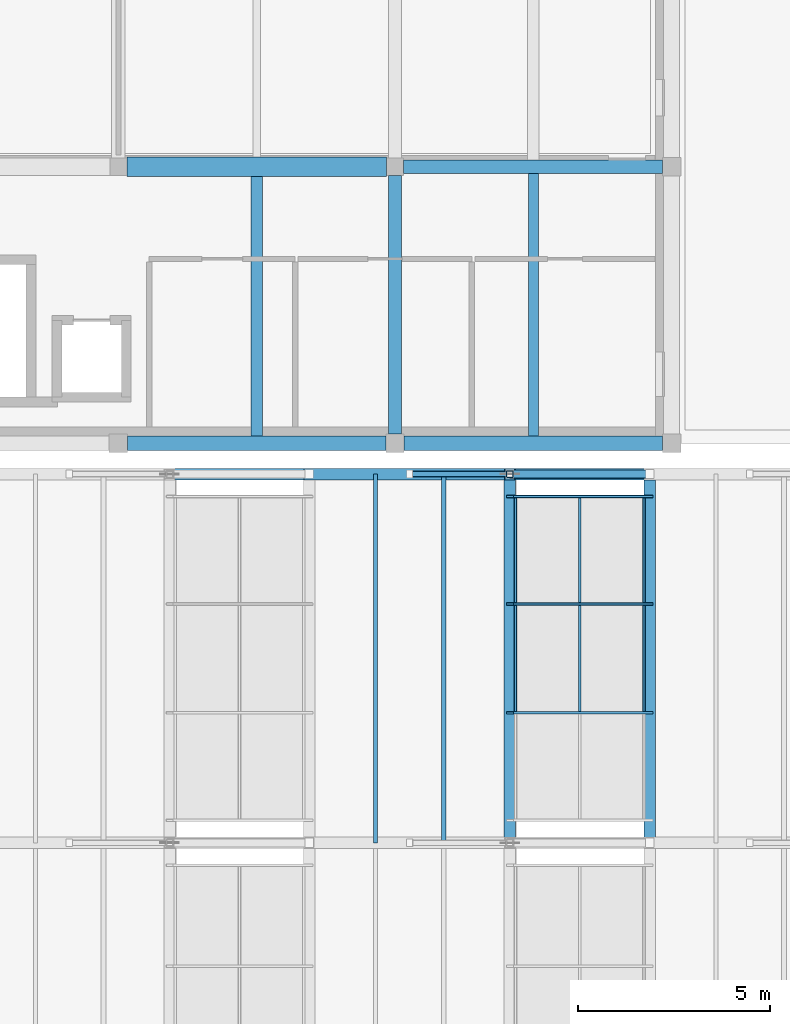
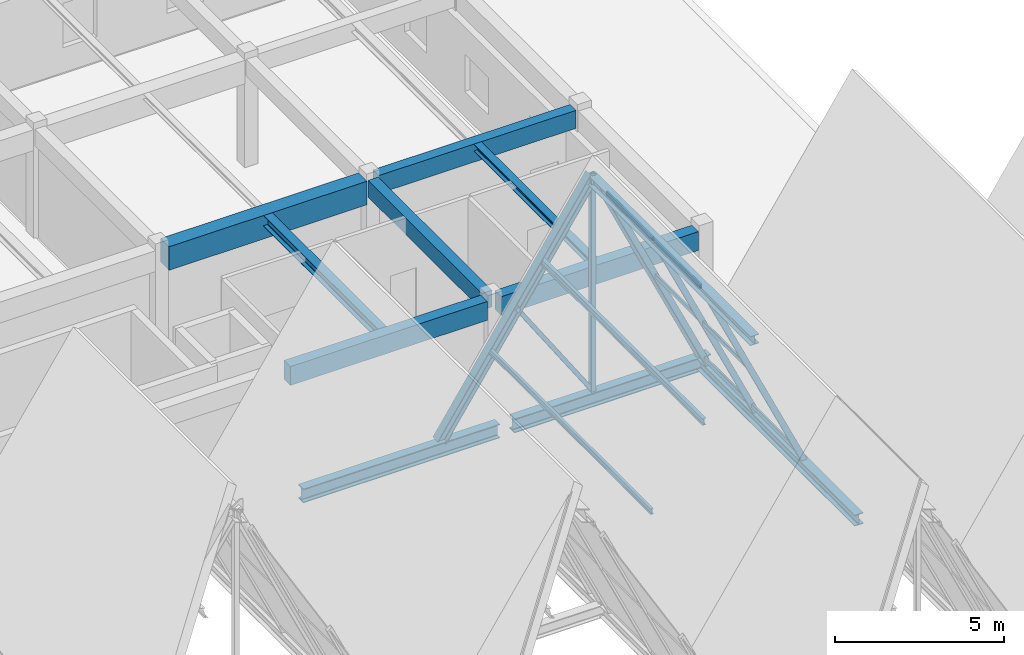
# One storey, part 59 of 99: 15 members, 11 beams, 1 element without a shape of its own.
"""IFC4 building model written with IfcOpenShell, lengths in metres."""

from ifc_helpers import new_model, si_unit, direction, frame, origin, origin_2d, place, context, subcontext, project, spatial, rectangle, hollow_rectangle, hollow_circle, i_section, extrude, material, material_profile, profile_set, type_object, element, aggregate, save


model = new_model("IFC4")

# Units and contexts
model_context = context("Model", 3, precision=1e-05, world=origin(), true_north=direction((0.0, 1.0)))
body_context = subcontext(model_context, "Body", "Model", "MODEL_VIEW")
ifc_project = project(units=[si_unit("LENGTHUNIT", "METRE"), si_unit("AREAUNIT", "SQUARE_METRE"), si_unit("VOLUMEUNIT", "CUBIC_METRE"), si_unit("PLANEANGLEUNIT", "RADIAN"), si_unit("MASSUNIT", "GRAM", prefix="KILO")], contexts=[model_context])

# Site, building, storey
site_placement = place(None, origin())
site = spatial("IfcSite", under=ifc_project, at=site_placement, CompositionType="ELEMENT")
building_placement = place(site_placement, origin())
building = spatial("IfcBuilding", under=site, at=building_placement, Name="Bramveld Media Centre", CompositionType="ELEMENT")
storey_placement = place(building_placement, frame((0.0, 0.0, 13.800048828125)))
storey = spatial("IfcBuildingStorey", under=building, at=storey_placement, Name="L03", CompositionType="ELEMENT", Elevation=13.800048828125)

# Beams
ifc_material_1 = material(Name="Concrete C40/50", Category="concrete")
ifc_material_profile_1 = material_profile(ifc_material_1, rectangle(XDim=0.35009765625, YDim=0.60009765625, at=origin_2d()), Name="RC 350x600")
ifc_profile_set_1 = profile_set([ifc_material_profile_1], Name="Concrete C40/50")
beam_type_1 = type_object("IfcBeamType", Name="BM-INT-RC-350x600", PredefinedType="BEAM", material=ifc_profile_set_1)
beam_1_placement = place(storey_placement, frame((152.800048828125, 39.43994140625, 3.659912109375), z_axis=(0.0, 1.0, 0.0), x_axis=(-1.0, 0.0, 0.0)))
element("IfcBeam", 1, at=beam_1_placement, inside=storey, type_object=beam_type_1, Name="V4 L03 girder Y-638", PredefinedType="BEAM", context=body_context, shape_type="SweptSolid", body=[
    extrude(rectangle(XDim=0.35009765625, YDim=0.60009765625, at=origin_2d()), origin(), (0.0, 0.0, 1.0), 6.735107421875),
])
ifc_material_2 = material(Name="Concrete C40/50", Category="concrete")
ifc_material_profile_2 = material_profile(ifc_material_2, rectangle(XDim=0.35009765625, YDim=0.64990234375, at=origin_2d()), Name="RC 350x650")
ifc_profile_set_2 = profile_set([ifc_material_profile_2], Name="Concrete C40/50")
beam_type_2 = type_object("IfcBeamType", Name="BM-INT-RC-350x650", PredefinedType="BEAM", material=ifc_profile_set_2)
beam_2_placement = place(storey_placement, frame((153.02490234375, 46.39990234375, 3.635009765625), z_axis=(1.0, 0.0, 0.0), x_axis=(0.0, 1.0, 0.0)))
element("IfcBeam", 2, at=beam_2_placement, inside=storey, type_object=beam_type_2, Name="V4 L03 girder X-622", PredefinedType="BEAM", context=body_context, shape_type="SweptSolid", body=[
    extrude(rectangle(XDim=0.35009765625, YDim=0.64990234375, at=origin_2d()), origin(), (0.0, 0.0, 1.0), 6.735107421875),
])
ifc_material_3 = material(Name="Concrete C40/50", Category="concrete")
ifc_material_profile_3 = material_profile(ifc_material_3, rectangle(XDim=0.5, YDim=0.85009765625, at=origin_2d()), Name="RC 500x850")
ifc_profile_set_3 = profile_set([ifc_material_profile_3], Name="Concrete C40/50")
beam_type_3 = type_object("IfcBeamType", Name="BM-INT-RC-500x850", PredefinedType="BEAM", material=ifc_profile_set_3)
beam_3_placement = place(storey_placement, frame((145.824951171875, 46.39990234375, 3.534912109375), z_axis=(1.0, 0.0, 0.0), x_axis=(0.0, 1.0, 0.0)))
element("IfcBeam", 3, at=beam_3_placement, inside=storey, type_object=beam_type_3, Name="V4 L03 girder X-621", PredefinedType="BEAM", context=body_context, shape_type="SweptSolid", body=[
    extrude(rectangle(XDim=0.5, YDim=0.85009765625, at=origin_2d()), origin(), (0.0, 0.0, 1.0), 6.75),
])

# Curtain wall, members
ifc_material_4 = material(Name="Thermally broken anodized bronze aluminium unitized curtain wall with solar-control triple glazing", Category="aluminium")
curtain_wall_type = type_object("IfcCurtainWallType", Name="CW-SAW-8500x8606", PredefinedType="NOTDEFINED", material=ifc_material_4)
curtain_wall_placement = place(storey_placement, origin())
curtain_wall = element("IfcCurtainWall", 4, at=curtain_wall_placement, inside=storey, type_object=curtain_wall_type, Name="V1 sawtooth north-light clerestory B4-S3", PredefinedType="NOTDEFINED")
ifc_material_5 = material(Name="Thermally broken anodized bronze aluminium EN AW-6063 T6 curtain-wall framing", Category="aluminium")
ifc_material_profile_4 = material_profile(ifc_material_5, hollow_rectangle(XDim=0.070068359375, YDim=0.199951171875, WallThickness=0.00439453125, InnerFilletRadius=0.00439453125, OuterFilletRadius=0.009033203125, at=origin_2d()), Name="AL-MULL 70x200")
ifc_profile_set_4 = profile_set([ifc_material_profile_4], Name="Thermally broken anodized bronze aluminium EN AW-6063 T6 curtain-wall framing")
member_type_1 = type_object("IfcMemberType", Name="CW-MULL-SLP", PredefinedType="MULLION", material=ifc_profile_set_4)
member_1_placement = place(storey_placement, frame((159.4287109375, 32.183349609375, -0.02001953125), z_axis=(-0.423980334249, 0.0, 0.905671395248), x_axis=(0.0, -1.0, 0.0)))
member_1 = element("IfcMember", 5, at=member_1_placement, type_object=member_type_1, Name="CW-SA-8586 sloped mullion 2", PredefinedType="MULLION", context=body_context, shape_type="SweptSolid", body=[
    extrude(hollow_rectangle(XDim=0.070068359375, YDim=0.199951171875, WallThickness=0.00439453125, InnerFilletRadius=0.00439453125, OuterFilletRadius=0.009033203125, at=origin_2d()), origin(), (0.0, 0.0, 1.0), 8.579345703125),
])
member_2_placement = place(storey_placement, frame((159.4287109375, 35.0166015625, -0.02001953125), z_axis=(-0.423980334249, 0.0, 0.905671395248), x_axis=(0.0, -1.0, 0.0)))
member_2 = element("IfcMember", 6, at=member_2_placement, type_object=member_type_1, Name="CW-SA-8586 sloped mullion 3", PredefinedType="MULLION", context=body_context, shape_type="SweptSolid", body=[
    extrude(hollow_rectangle(XDim=0.070068359375, YDim=0.199951171875, WallThickness=0.00439453125, InnerFilletRadius=0.00439453125, OuterFilletRadius=0.009033203125, at=origin_2d()), origin(), (0.0, 0.0, 1.0), 8.579345703125),
])
member_3_placement = place(storey_placement, frame((159.4287109375, 37.81494140625, -0.02001953125), z_axis=(-0.423980334249, 0.0, 0.905671395248), x_axis=(0.0, -1.0, 0.0)))
member_3 = element("IfcMember", 7, at=member_3_placement, type_object=member_type_1, Name="CW-SA-8586 sloped mullion 4", PredefinedType="MULLION", context=body_context, shape_type="SweptSolid", body=[
    extrude(hollow_rectangle(XDim=0.070068359375, YDim=0.199951171875, WallThickness=0.00439453125, InnerFilletRadius=0.00439453125, OuterFilletRadius=0.009033203125, at=origin_2d()), origin(), (0.0, 0.0, 1.0), 8.579345703125),
])
ifc_material_6 = material(Name="Thermally broken anodized bronze aluminium EN AW-6063 T6 curtain-wall framing", Category="aluminium")
ifc_material_profile_5 = material_profile(ifc_material_6, hollow_rectangle(XDim=0.070068359375, YDim=0.14990234375, WallThickness=0.00390625, InnerFilletRadius=0.00390625, OuterFilletRadius=0.008056640625, at=origin_2d()), Name="AL-TRAN 70x150")
ifc_profile_set_5 = profile_set([ifc_material_profile_5], Name="Thermally broken anodized bronze aluminium EN AW-6063 T6 curtain-wall framing")
member_type_2 = type_object("IfcMemberType", Name="CW-TRAN-SLP", PredefinedType="USERDEFINED", material=ifc_profile_set_5)
member_4_placement = place(storey_placement, frame((159.283203125, 32.21826171875, 0.290771484375), z_axis=(0.0, 1.0, 0.0), x_axis=(-1.0, 0.0, 0.0)))
member_4 = element("IfcMember", 8, at=member_4_placement, type_object=member_type_2, Name="CW-SA-8586 transom 2.1", ObjectType="TRANSOM", PredefinedType="USERDEFINED", context=body_context, shape_type="SweptSolid", body=[
    extrude(hollow_rectangle(XDim=0.070068359375, YDim=0.14990234375, WallThickness=0.00390625, InnerFilletRadius=0.00390625, OuterFilletRadius=0.008056640625, at=origin_2d()), origin(), (0.0, 0.0, 1.0), 2.763427734375),
])
member_5_placement = place(storey_placement, frame((157.60986328125, 32.21826171875, 3.864990234375), z_axis=(0.0, 1.0, 0.0), x_axis=(-1.0, 0.0, 0.0)))
member_5 = element("IfcMember", 9, at=member_5_placement, type_object=member_type_2, Name="CW-SA-8586 transom 2.2", ObjectType="TRANSOM", PredefinedType="USERDEFINED", context=body_context, shape_type="SweptSolid", body=[
    extrude(hollow_rectangle(XDim=0.070068359375, YDim=0.14990234375, WallThickness=0.00390625, InnerFilletRadius=0.00390625, OuterFilletRadius=0.008056640625, at=origin_2d()), origin(), (0.0, 0.0, 1.0), 2.763427734375),
])
member_6_placement = place(storey_placement, frame((155.936767578125, 32.21826171875, 7.439208984375), z_axis=(0.0, 1.0, 0.0), x_axis=(-1.0, 0.0, 0.0)))
member_6 = element("IfcMember", 10, at=member_6_placement, type_object=member_type_2, Name="CW-SA-8586 transom 2.3", ObjectType="TRANSOM", PredefinedType="USERDEFINED", context=body_context, shape_type="SweptSolid", body=[
    extrude(hollow_rectangle(XDim=0.070068359375, YDim=0.14990234375, WallThickness=0.00390625, InnerFilletRadius=0.00390625, OuterFilletRadius=0.008056640625, at=origin_2d()), origin(), (0.0, 0.0, 1.0), 2.763427734375),
])
member_7_placement = place(storey_placement, frame((159.283203125, 35.0517578125, 0.290771484375), z_axis=(0.0, 1.0, 0.0), x_axis=(-1.0, 0.0, 0.0)))
member_7 = element("IfcMember", 11, at=member_7_placement, type_object=member_type_2, Name="CW-SA-8586 transom 3.1", ObjectType="TRANSOM", PredefinedType="USERDEFINED", context=body_context, shape_type="SweptSolid", body=[
    extrude(hollow_rectangle(XDim=0.070068359375, YDim=0.14990234375, WallThickness=0.00390625, InnerFilletRadius=0.00390625, OuterFilletRadius=0.008056640625, at=origin_2d()), origin(), (0.0, 0.0, 1.0), 2.728271484375),
])
member_8_placement = place(storey_placement, frame((157.60986328125, 35.0517578125, 3.864990234375), z_axis=(0.0, 1.0, 0.0), x_axis=(-1.0, 0.0, 0.0)))
member_8 = element("IfcMember", 12, at=member_8_placement, type_object=member_type_2, Name="CW-SA-8586 transom 3.2", ObjectType="TRANSOM", PredefinedType="USERDEFINED", context=body_context, shape_type="SweptSolid", body=[
    extrude(hollow_rectangle(XDim=0.070068359375, YDim=0.14990234375, WallThickness=0.00390625, InnerFilletRadius=0.00390625, OuterFilletRadius=0.008056640625, at=origin_2d()), origin(), (0.0, 0.0, 1.0), 2.728271484375),
])
member_9_placement = place(storey_placement, frame((155.936767578125, 35.0517578125, 7.439208984375), z_axis=(0.0, 1.0, 0.0), x_axis=(-1.0, 0.0, 0.0)))
member_9 = element("IfcMember", 13, at=member_9_placement, type_object=member_type_2, Name="CW-SA-8586 transom 3.3", ObjectType="TRANSOM", PredefinedType="USERDEFINED", context=body_context, shape_type="SweptSolid", body=[
    extrude(hollow_rectangle(XDim=0.070068359375, YDim=0.14990234375, WallThickness=0.00390625, InnerFilletRadius=0.00390625, OuterFilletRadius=0.008056640625, at=origin_2d()), origin(), (0.0, 0.0, 1.0), 2.728271484375),
])
aggregate(curtain_wall, [member_1, member_2, member_3, member_4, member_5, member_6, member_7, member_8, member_9])

# Members
ifc_material_7 = material(Name="Steel S355J2H", Category="steel")
ifc_material_profile_6 = material_profile(ifc_material_7, hollow_circle(Radius=0.109619140625, WallThickness=0.012451171875, at=origin_2d()), Name="CHS 219.1x12.5")
ifc_profile_set_6 = profile_set([ifc_material_profile_6], Name="Steel S355J2H")
member_type_3 = type_object("IfcMemberType", Name="MEM-BRACE-CHS219", PredefinedType="BRACE", material=ifc_profile_set_6)
member_10_placement = place(storey_placement, frame((159.4287109375, 38.39990234375, 0.0), z_axis=(-0.422640085544, 0.0, 0.90629761011), x_axis=(0.0, -1.0, 0.0)))
element("IfcMember", 14, at=member_10_placement, inside=storey, type_object=member_type_3, Name="TRUSS-V1-B04-F5 north-light strut", PredefinedType="BRACE", context=body_context, shape_type="SweptSolid", body=[
    extrude(hollow_circle(Radius=0.109619140625, WallThickness=0.012451171875, at=origin_2d()), origin(), (0.0, 0.0, 1.0), 8.6064453125),
])
ifc_material_8 = material(Name="Steel S355J2H", Category="steel")
ifc_material_profile_7 = material_profile(ifc_material_8, hollow_rectangle(XDim=0.14990234375, YDim=0.14990234375, WallThickness=0.010009765625, InnerFilletRadius=0.010009765625, OuterFilletRadius=0.02001953125, at=origin_2d()), Name="SHS 150x150x10")
ifc_profile_set_7 = profile_set([ifc_material_profile_7], Name="Steel S355J2H")
member_type_4 = type_object("IfcMemberType", Name="MEM-BRACE-SHS150", PredefinedType="BRACE", material=ifc_profile_set_7)
member_11_placement = place(storey_placement, frame((155.791259765625, 38.39990234375, 0.0), z_axis=(-0.55616408489, 0.0, 0.83107250627), x_axis=(0.0, -1.0, 0.0)))
element("IfcMember", 15, at=member_11_placement, inside=storey, type_object=member_type_4, Name="TRUSS-V1-B04-F5 web diagonal", PredefinedType="BRACE", context=body_context, shape_type="SweptSolid", body=[
    extrude(hollow_rectangle(XDim=0.14990234375, YDim=0.14990234375, WallThickness=0.010009765625, InnerFilletRadius=0.010009765625, OuterFilletRadius=0.02001953125, at=origin_2d()), origin(), (0.0, 0.0, 1.0), 4.692626953125),
])
ifc_material_9 = material(Name="Steel S355J2", Category="steel")
ifc_material_profile_8 = material_profile(ifc_material_9, i_section(OverallWidth=0.300048828125, OverallDepth=0.340087890625, WebThickness=0.011962890625, FlangeThickness=0.021484375, FilletRadius=0.027099609375, at=origin_2d()), Name="HEB 340")
ifc_profile_set_8 = profile_set([ifc_material_profile_8], Name="Steel S355J2")
member_type_5 = type_object("IfcMemberType", Name="MEM-CHORD-HEB340", PredefinedType="CHORD", material=ifc_profile_set_8)
member_12_placement = place(storey_placement, frame((150.5712890625, 38.39990234375, 0.0), z_axis=(0.556170027887, 0.0, 0.831068529112), x_axis=(0.0, 1.0, 0.0)))
element("IfcMember", 16, at=member_12_placement, inside=storey, type_object=member_type_5, Name="TRUSS-V1-B04-F5 top rafter chord", PredefinedType="CHORD", context=body_context, shape_type="SweptSolid", body=[
    extrude(i_section(OverallWidth=0.300048828125, OverallDepth=0.340087890625, WebThickness=0.011962890625, FlangeThickness=0.021484375, FilletRadius=0.027099609375, at=origin_2d()), origin(), (0.0, 0.0, 1.0), 9.385498046875),
])
ifc_material_10 = material(Name="Steel S355J2H", Category="steel")
ifc_material_profile_9 = material_profile(ifc_material_10, hollow_rectangle(XDim=0.179931640625, YDim=0.179931640625, WallThickness=0.010009765625, InnerFilletRadius=0.010009765625, OuterFilletRadius=0.02001953125, at=origin_2d()), Name="SHS 180x180x10")
ifc_profile_set_9 = profile_set([ifc_material_profile_9], Name="Steel S355J2H")
member_type_6 = type_object("IfcMemberType", Name="MEM-POST-SHS180", PredefinedType="POST", material=ifc_profile_set_9)
member_13_placement = place(storey_placement, frame((155.791259765625, 38.39990234375, 0.0), z_axis=(0.0, 0.0, 1.0), x_axis=(1.0, 0.0, 0.0)))
element("IfcMember", 17, at=member_13_placement, inside=storey, type_object=member_type_6, Name="TRUSS-V1-B04-F5 kingpost", PredefinedType="POST", context=body_context, shape_type="SweptSolid", body=[
    extrude(hollow_rectangle(XDim=0.179931640625, YDim=0.179931640625, WallThickness=0.010009765625, InnerFilletRadius=0.010009765625, OuterFilletRadius=0.02001953125, at=origin_2d()), origin(), (0.0, 0.0, 1.0), 7.800048828125),
])
ifc_material_11 = material(Name="Steel S355J2", Category="steel")
ifc_material_profile_10 = material_profile(ifc_material_11, i_section(OverallWidth=0.10009765625, OverallDepth=0.199951171875, WebThickness=0.005615234375, FlangeThickness=0.008544921875, FilletRadius=0.011962890625, at=origin_2d()), Name="IPE 200")
ifc_profile_set_10 = profile_set([ifc_material_profile_10], Name="Steel S355J2")
member_type_7 = type_object("IfcMemberType", Name="MEM-PURLIN-IPE200", PredefinedType="PURLIN", material=ifc_profile_set_10)
member_14_placement = place(storey_placement, frame((152.2939453125, 28.800048828125, 2.666259765625), z_axis=(0.0, 1.0, 0.0), x_axis=(-1.0, 0.0, 0.0)))
element("IfcMember", 18, at=member_14_placement, inside=storey, type_object=member_type_7, Name="V1 roof purlin", PredefinedType="PURLIN", context=body_context, shape_type="SweptSolid", body=[
    extrude(i_section(OverallWidth=0.10009765625, OverallDepth=0.199951171875, WebThickness=0.005615234375, FlangeThickness=0.008544921875, FilletRadius=0.011962890625, at=origin_2d()), origin(), (0.0, 0.0, 1.0), 9.599853515625),
])
ifc_material_12 = material(Name="Steel S355J2", Category="steel")
ifc_material_profile_11 = material_profile(ifc_material_12, i_section(OverallWidth=0.1201171875, OverallDepth=0.239990234375, WebThickness=0.006103515625, FlangeThickness=0.009765625, FilletRadius=0.014892578125, at=origin_2d()), Name="IPE 240")
ifc_profile_set_11 = profile_set([ifc_material_profile_11], Name="Steel S355J2")
member_type_8 = type_object("IfcMemberType", Name="MEM-PURLIN-IPE240", PredefinedType="PURLIN", material=ifc_profile_set_11)
member_15_placement = place(storey_placement, frame((154.068603515625, 28.800048828125, 5.283447265625), z_axis=(0.0, 1.0, 0.0), x_axis=(-1.0, 0.0, 0.0)))
element("IfcMember", 19, at=member_15_placement, inside=storey, type_object=member_type_8, Name="V1 roof purlin", PredefinedType="PURLIN", context=body_context, shape_type="SweptSolid", body=[
    extrude(i_section(OverallWidth=0.1201171875, OverallDepth=0.239990234375, WebThickness=0.006103515625, FlangeThickness=0.009765625, FilletRadius=0.014892578125, at=origin_2d()), origin(), (0.0, 0.0, 1.0), 9.599853515625),
])

# Beams
ifc_material_13 = material(Name="Steel S355J2", Category="steel")
ifc_material_profile_12 = material_profile(ifc_material_13, i_section(OverallWidth=0.300048828125, OverallDepth=0.5, WebThickness=0.014404296875, FlangeThickness=0.028076171875, FilletRadius=0.027099609375, at=origin_2d()), Name="HEB 500")
ifc_profile_set_12 = profile_set([ifc_material_profile_12], Name="Steel S355J2")
beam_type_4 = type_object("IfcBeamType", Name="SBM-EXT-HEB-500", PredefinedType="BEAM", material=ifc_profile_set_12)
for number, where, z_axis, x_axis, name in (
    (20, (145.85009765625, 38.39990234375, -0.25), (1.0, 0.0, 0.0), (0.0, 1.0, 0.0), "V1 sawtooth tie girder"),
    (21, (153.050048828125, 38.39990234375, -0.25), (1.0, 0.0, 0.0), (0.0, 1.0, 0.0), "V1 sawtooth tie girder"),
):
    element("IfcBeam", number, at=place(storey_placement, frame(where, z_axis=z_axis, x_axis=x_axis)), inside=storey, type_object=beam_type_4, Name=name, PredefinedType="BEAM", context=body_context, shape_type="SweptSolid", body=[
        extrude(i_section(OverallWidth=0.300048828125, OverallDepth=0.5, WebThickness=0.014404296875, FlangeThickness=0.028076171875, FilletRadius=0.027099609375, at=origin_2d()), origin(), (0.0, 0.0, 1.0), 6.699951171875),
    ])
ifc_material_14 = material(Name="Steel S355J2", Category="steel")
ifc_material_profile_13 = material_profile(ifc_material_14, i_section(OverallWidth=0.300048828125, OverallDepth=0.330078125, WebThickness=0.009521484375, FlangeThickness=0.0166015625, FilletRadius=0.027099609375, at=origin_2d()), Name="HEA 340")
ifc_profile_set_13 = profile_set([ifc_material_profile_13], Name="Steel S355J2")
beam_type_5 = type_object("IfcBeamType", Name="SBM-INT-HEA-340", PredefinedType="BEAM", material=ifc_profile_set_13)
beam_4_placement = place(storey_placement, frame((155.791259765625, 28.800048828125, 7.635009765625), z_axis=(0.0, 1.0, 0.0), x_axis=(-1.0, 0.0, 0.0)))
element("IfcBeam", 22, at=beam_4_placement, inside=storey, type_object=beam_type_5, Name="V1 ridge spine beam", PredefinedType="BEAM", context=body_context, shape_type="SweptSolid", body=[
    extrude(i_section(OverallWidth=0.300048828125, OverallDepth=0.330078125, WebThickness=0.009521484375, FlangeThickness=0.0166015625, FilletRadius=0.027099609375, at=origin_2d()), origin(), (0.0, 0.0, 1.0), 9.599853515625),
])
ifc_material_15 = material(Name="Steel S355J2", Category="steel")
ifc_material_profile_14 = material_profile(ifc_material_15, i_section(OverallWidth=0.300048828125, OverallDepth=0.389892578125, WebThickness=0.010986328125, FlangeThickness=0.01904296875, FilletRadius=0.027099609375, at=origin_2d()), Name="HEA 400")
ifc_profile_set_14 = profile_set([ifc_material_profile_14], Name="Steel S355J2")
beam_type_6 = type_object("IfcBeamType", Name="SBM-INT-HEA-400", PredefinedType="BEAM", material=ifc_profile_set_14)
beam_5_placement = place(storey_placement, frame((149.199951171875, 39.389892578125, 3.764892578125), z_axis=(0.0, 1.0, 0.0), x_axis=(-1.0, 0.0, 0.0)))
element("IfcBeam", 23, at=beam_5_placement, inside=storey, type_object=beam_type_6, Name="V4 L03 secondary floor joist 648", PredefinedType="BEAM", context=body_context, shape_type="SweptSolid", body=[
    extrude(i_section(OverallWidth=0.300048828125, OverallDepth=0.389892578125, WebThickness=0.010986328125, FlangeThickness=0.01904296875, FilletRadius=0.027099609375, at=origin_2d()), origin(), (0.0, 0.0, 1.0), 6.760009765625),
])
ifc_material_16 = material(Name="Steel S355J2", Category="steel")
ifc_material_profile_15 = material_profile(ifc_material_16, i_section(OverallWidth=0.260009765625, OverallDepth=0.260009765625, WebThickness=0.010009765625, FlangeThickness=0.017578125, FilletRadius=0.02392578125, at=origin_2d()), Name="HEB 260")
ifc_profile_set_15 = profile_set([ifc_material_profile_15], Name="Steel S355J2")
beam_type_7 = type_object("IfcBeamType", Name="SBM-INT-HEB-260", PredefinedType="BEAM", material=ifc_profile_set_15)
beam_6_placement = place(storey_placement, frame((156.39990234375, 39.389892578125, 3.829833984375), z_axis=(0.0, 1.0, 0.0), x_axis=(-1.0, 0.0, 0.0)))
element("IfcBeam", 24, at=beam_6_placement, inside=storey, type_object=beam_type_7, Name="V4 L03 secondary floor joist 651", PredefinedType="BEAM", context=body_context, shape_type="SweptSolid", body=[
    extrude(i_section(OverallWidth=0.260009765625, OverallDepth=0.260009765625, WebThickness=0.010009765625, FlangeThickness=0.017578125, FilletRadius=0.02392578125, at=origin_2d()), origin(), (0.0, 0.0, 1.0), 6.835205078125),
])
ifc_material_17 = material(Name="Steel S355J2", Category="steel")
ifc_material_profile_16 = material_profile(ifc_material_17, i_section(OverallWidth=0.300048828125, OverallDepth=0.39990234375, WebThickness=0.013427734375, FlangeThickness=0.02392578125, FilletRadius=0.027099609375, at=origin_2d()), Name="HEB 400")
ifc_profile_set_16 = profile_set([ifc_material_profile_16], Name="Steel S355J2")
beam_type_8 = type_object("IfcBeamType", Name="SBM-INT-HEB-400", PredefinedType="BEAM", material=ifc_profile_set_16)
beam_7_placement = place(storey_placement, frame((159.4287109375, 28.93994140625, -0.199951171875), z_axis=(0.0, 1.0, 0.0), x_axis=(-1.0, 0.0, 0.0)))
element("IfcBeam", 25, at=beam_7_placement, inside=storey, type_object=beam_type_8, Name="V1 valley spine girder 4", PredefinedType="BEAM", context=body_context, shape_type="SweptSolid", body=[
    extrude(i_section(OverallWidth=0.300048828125, OverallDepth=0.39990234375, WebThickness=0.013427734375, FlangeThickness=0.02392578125, FilletRadius=0.027099609375, at=origin_2d()), origin(), (0.0, 0.0, 1.0), 9.320068359375),
])
ifc_material_18 = material(Name="Concrete C40/50", Category="concrete")
ifc_material_profile_17 = material_profile(ifc_material_18, rectangle(XDim=0.3798828125, YDim=0.679931640625, at=origin_2d()), Name="RC 380x680")
ifc_profile_set_17 = profile_set([ifc_material_profile_17], Name="Concrete C40/50")
beam_type_9 = type_object("IfcBeamType", Name="SPANDREL-EXT-RC-380x680", PredefinedType="SPANDREL", material=ifc_profile_set_17)
for number, where, z_axis, x_axis, name in (
    (26, (145.840087890625, 39.199951171875, 3.619873046875), (1.0, 0.0, 0.0), (0.0, 1.0, 0.0), "V4 L03 girder X-617"),
    (27, (153.0400390625, 39.199951171875, 3.619873046875), (1.0, 0.0, 0.0), (0.0, 1.0, 0.0), "V4 L03 girder X-618"),
):
    element("IfcBeam", number, at=place(storey_placement, frame(where, z_axis=z_axis, x_axis=x_axis)), inside=storey, type_object=beam_type_9, Name=name, PredefinedType="SPANDREL", context=body_context, shape_type="SweptSolid", body=[
        extrude(rectangle(XDim=0.3798828125, YDim=0.679931640625, at=origin_2d()), origin(), (0.0, 0.0, 1.0), 6.719970703125),
    ])

save(model, "model.ifc")
